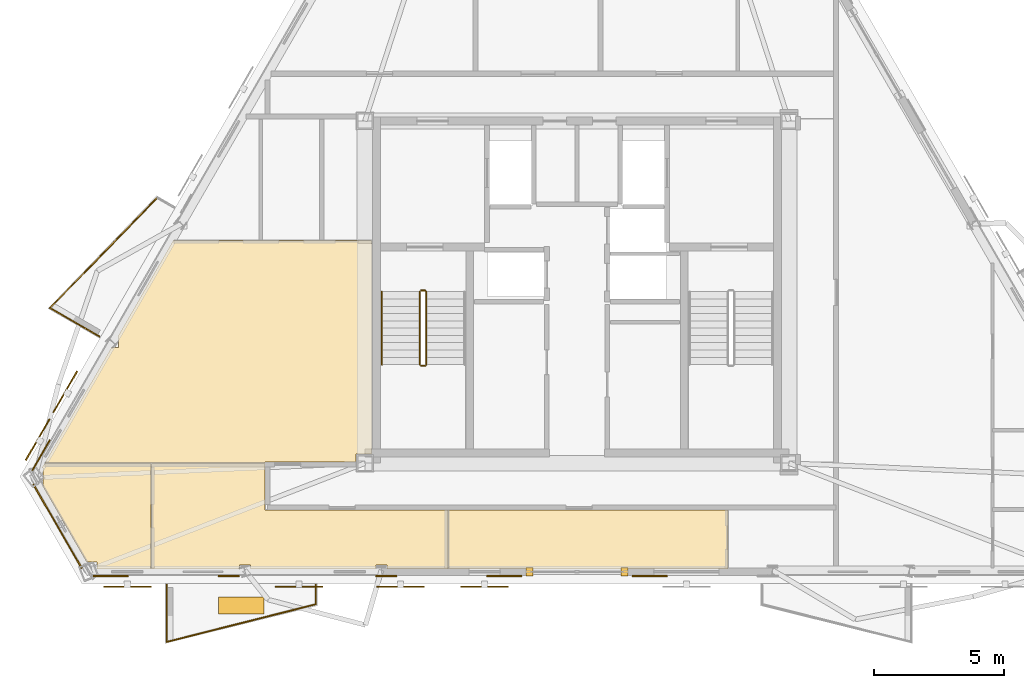
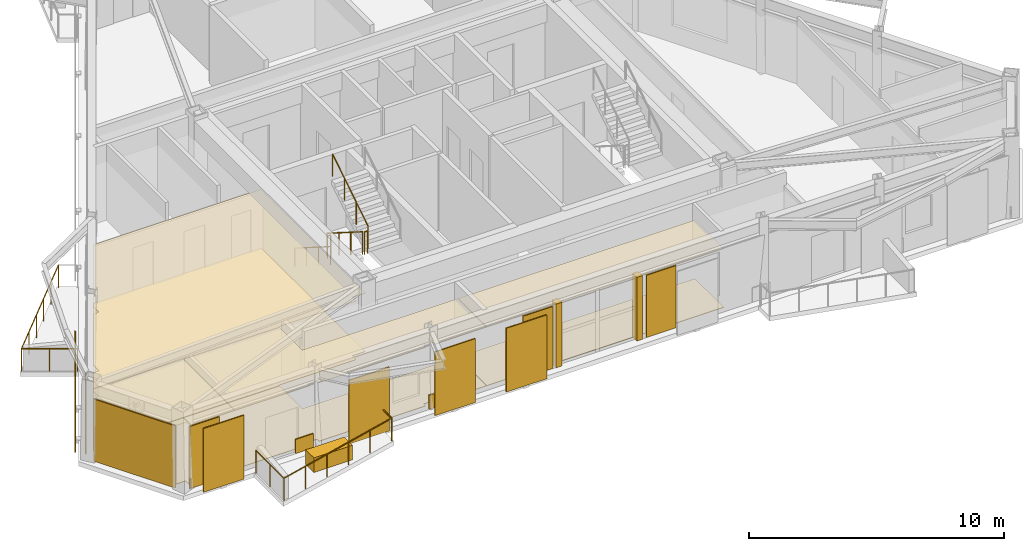
# One storey, part 12 of 15: 18 coverings, 10 railings, 6 shading devices.
"""IFC4 building model written with IfcOpenShell, lengths in metres."""

from ifc_helpers import new_model, si_unit, direction, frame, origin, origin_2d, place, context, subcontext, project, spatial, polyline, rectangle, circle, outline, extrude, material, layer, layer_set, type_object, element, save


model = new_model("IFC4")

# Units and contexts
model_context = context("Model", 3, precision=1e-05, world=origin(), true_north=direction((0.0, 1.0)))
body_context = subcontext(model_context, "Body", "Model", "MODEL_VIEW")
ifc_project = project(units=[si_unit("LENGTHUNIT", "METRE"), si_unit("AREAUNIT", "SQUARE_METRE"), si_unit("VOLUMEUNIT", "CUBIC_METRE"), si_unit("PLANEANGLEUNIT", "RADIAN"), si_unit("MASSUNIT", "GRAM", prefix="KILO")], contexts=[model_context])

# Site, building, storey
site_placement = place(None, origin())
site = spatial("IfcSite", under=ifc_project, at=site_placement, CompositionType="ELEMENT")
building_placement = place(site_placement, origin())
building = spatial("IfcBuilding", under=site, at=building_placement, Name="Oramaril Tower", CompositionType="ELEMENT")
storey_placement = place(building_placement, frame((0.0, 0.0, 288.89990234375)))
storey = spatial("IfcBuildingStorey", under=building, at=storey_placement, Name="L76", CompositionType="ELEMENT", Elevation=288.89990234375)

# Coverings
ifc_material_1 = material(Name="Mineral Fibre Acoustic Ceiling")
ifc_layer_1 = layer(ifc_material_1, 0.02001953125)
ifc_layer_set_1 = layer_set([ifc_layer_1], Name="CVT-CEIL")
covering_type_1 = type_object("IfcCoveringType", Name="CVT-CEIL", PredefinedType="CEILING", material=ifc_layer_set_1)
covering_1_placement = place(storey_placement, frame((0.0, 0.0, 2.81201171875)))
element("IfcCovering", 1, at=covering_1_placement, inside=storey, type_object=covering_type_1, Name="L76 Acoustic Suspended Ceiling 5", PredefinedType="CEILING", context=body_context, shape_type="SweptSolid", body=[
    extrude(outline(polyline([(32.5419921875, 6.935302734375), (30.201416015625, 6.935302734375), (30.201416015625, 7.091064453125), (29.779541015625, 7.091064453125), (29.779541015625, 6.935302734375), (24.94775390625, 6.935302734375), (24.94775390625, 7.091064453125), (24.51953125, 7.091064453125), (24.51953125, 6.935302734375), (21.152099609375, 6.935302734375), (21.152099609375, 10.991943359375), (25.5, 10.991943359375), (25.5, 9.219970703125), (25.5, 9.218017578125), (25.50048828125, 9.216064453125), (25.5009765625, 9.214111328125), (25.50146484375, 9.21240234375), (25.50244140625, 9.210693359375), (25.50341796875, 9.208984375), (25.50439453125, 9.207275390625), (25.505859375, 9.205810546875), (25.50732421875, 9.20458984375), (25.5087890625, 9.203369140625), (25.510498046875, 9.202392578125), (25.51220703125, 9.201416015625), (25.51416015625, 9.200927734375), (25.51611328125, 9.200439453125), (25.51806640625, 9.2001953125), (25.52001953125, 9.199951171875), (32.5419921875, 9.199951171875), (32.5419921875, 6.935302734375)])), origin(), (0.0, 0.0, 1.0), 0.02001953125),
])
covering_2_placement = place(storey_placement, frame((0.0, 0.0, 2.81201171875)))
element("IfcCovering", 2, at=covering_2_placement, inside=storey, type_object=covering_type_1, Name="L76 Acoustic Suspended Ceiling 6", PredefinedType="CEILING", context=body_context, shape_type="SweptSolid", body=[
    extrude(outline(polyline([(19.05712890625, 6.935302734375), (19.05712890625, 7.20458984375), (18.64404296875, 7.20458984375), (16.961181640625, 10.119384765625), (16.982666015625, 10.119384765625), (16.982666015625, 10.80712890625), (16.93359375, 10.80712890625), (17.040283203125, 10.991943359375), (21.132080078125, 10.991943359375), (21.132080078125, 6.935302734375), (19.05712890625, 6.935302734375)])), origin(), (0.0, 0.0, 1.0), 0.02001953125),
])
covering_3_placement = place(storey_placement, frame((0.0, 0.0, 2.81201171875)))
element("IfcCovering", 3, at=covering_3_placement, inside=storey, type_object=covering_type_1, Name="L76 Acoustic Suspended Ceiling 7", PredefinedType="CEILING", context=body_context, shape_type="SweptSolid", body=[
    extrude(outline(polyline([(32.56201171875, 6.935302734375), (32.56201171875, 9.199951171875), (43.305908203125, 9.199951171875), (43.305908203125, 6.935302734375), (32.56201171875, 6.935302734375)])), origin(), (0.0, 0.0, 1.0), 0.02001953125),
])
covering_4_placement = place(storey_placement, frame((0.0, 0.0, 2.81201171875)))
element("IfcCovering", 4, at=covering_4_placement, inside=storey, type_object=covering_type_1, Name="L76 Acoustic Suspended Ceiling 9", PredefinedType="CEILING", context=body_context, shape_type="SweptSolid", body=[
    extrude(outline(polyline([(19.607666015625, 15.438720703125), (19.874755859375, 15.438720703125), (19.874755859375, 15.893310546875), (19.8701171875, 15.893310546875), (21.980712890625, 19.548828125), (29.60009765625, 19.548828125), (29.60009765625, 11.344970703125), (29.0048828125, 11.344970703125), (29.0048828125, 11.050048828125), (25.52001953125, 11.050048828125), (25.51806640625, 11.0498046875), (25.51611328125, 11.049560546875), (25.51416015625, 11.049072265625), (25.51220703125, 11.048583984375), (25.510498046875, 11.047607421875), (25.5087890625, 11.046630859375), (25.50732421875, 11.04541015625), (25.505859375, 11.044189453125), (25.50439453125, 11.042724609375), (25.50341796875, 11.041015625), (25.50244140625, 11.039306640625), (25.50146484375, 11.03759765625), (25.5009765625, 11.035888671875), (25.50048828125, 11.033935546875), (25.5, 11.031982421875), (25.5, 11.030029296875), (25.5, 11.011962890625), (21.152099609375, 11.011962890625), (21.150146484375, 11.011962890625), (21.148193359375, 11.01171875), (21.146240234375, 11.010986328125), (21.144287109375, 11.010498046875), (21.142578125, 11.009521484375), (21.14208984375, 11.00927734375), (21.1416015625, 11.009521484375), (21.139892578125, 11.010498046875), (21.137939453125, 11.010986328125), (21.135986328125, 11.01171875), (21.134033203125, 11.011962890625), (21.132080078125, 11.011962890625), (17.052001953125, 11.011962890625), (19.607666015625, 15.438720703125)])), origin(), (0.0, 0.0, 1.0), 0.02001953125),
])
ifc_material_2 = material(Name="Warm Cream Limestone", Category="masonry")
ifc_layer_2 = layer(ifc_material_2, 0.050048828125)
ifc_layer_set_2 = layer_set([ifc_layer_2], Name="CVT-CLD")
covering_type_2 = type_object("IfcCoveringType", Name="CVT-CLD", PredefinedType="CLADDING", material=ifc_layer_set_2)
covering_5_placement = place(storey_placement, frame((17.53515625, 8.5732421875, 0.0400390625), z_axis=(0.0, 0.0, 1.0), x_axis=(0.499984884929, -0.866034130299, 0.0)))
element("IfcCovering", 5, at=covering_5_placement, inside=storey, type_object=covering_type_2, Name="L76 Warm Cream Limestone Cladding", PredefinedType="CLADDING", context=body_context, shape_type="SweptSolid", body=[
    extrude(rectangle(XDim=3.725830078125, YDim=0.050048828125, at=origin_2d()), origin(), (0.0, 0.0, 1.0), 2.97802734375),
])
for number, where, z_axis, x_axis, name in (
    (6, (35.669921875, 6.827392578125, 0.0), (0.0, 0.0, 1.0), (1.0, 0.0, 0.0), "L76 Curtain Wall Limestone Jamb Closure"),
    (7, (39.330078125, 6.827392578125, 0.0), (0.0, 0.0, 1.0), (1.0, 0.0, 0.0), "L76 Curtain Wall Limestone Jamb Closure"),
):
    element("IfcCovering", number, at=place(storey_placement, frame(where, z_axis=z_axis, x_axis=x_axis)), inside=storey, type_object=covering_type_2, Name=name, PredefinedType="CLADDING", context=body_context, shape_type="SweptSolid", body=[
        extrude(rectangle(XDim=0.260009765625, YDim=0.340087890625, at=origin_2d()), origin(), (0.0, 0.0, 1.0), 3.05810546875),
    ])
for number, where, z_axis, x_axis, name in (
    (8, (19.587158203125, 6.659423828125, 0.0400390625), (0.0, 0.0, 1.0), (1.0, 0.0, 0.0), "L76 Warm Cream Limestone Cladding"),
    (9, (34.699951171875, 6.659423828125, 0.0400390625), (0.0, 0.0, 1.0), (1.0, 0.0, 0.0), "L76 Warm Cream Limestone Cladding"),
):
    element("IfcCovering", number, at=place(storey_placement, frame(where, z_axis=z_axis, x_axis=x_axis)), inside=storey, type_object=covering_type_2, Name=name, PredefinedType="CLADDING", context=body_context, shape_type="SweptSolid", body=[
        extrude(rectangle(XDim=1.35009765625, YDim=0.050048828125, at=origin_2d()), origin(), (0.0, 0.0, 1.0), 2.97802734375),
    ])
for number, where, z_axis, x_axis, name in (
    (10, (24.1171875, 6.659423828125, 0.0400390625), (0.0, 0.0, 1.0), (1.0, 0.0, 0.0), "L76 Warm Cream Limestone Spandrel Cladding"),
    (11, (30.169921875, 6.659423828125, 0.0400390625), (0.0, 0.0, 1.0), (1.0, 0.0, 0.0), "L76 Warm Cream Limestone Spandrel Cladding"),
):
    element("IfcCovering", number, at=place(storey_placement, frame(where, z_axis=z_axis, x_axis=x_axis)), inside=storey, type_object=covering_type_2, Name=name, PredefinedType="CLADDING", context=body_context, shape_type="SweptSolid", body=[
        extrude(rectangle(XDim=0.800048828125, YDim=0.050048828125, at=origin_2d()), origin(), (0.0, 0.0, 1.0), 0.679931640625),
    ])
for number, where, z_axis, x_axis, name in (
    (12, (40.300048828125, 6.659423828125, 0.0400390625), (0.0, 0.0, 1.0), (1.0, 0.0, 0.0), "L76 Warm Cream Limestone Cladding"),
    (13, (16.90380859375, 11.307373046875, 0.0400390625), (0.0, 0.0, 1.0), (-0.4999984885, -0.866026276448, 0.0), "L76 Warm Cream Limestone Cladding"),
):
    element("IfcCovering", number, at=place(storey_placement, frame(where, z_axis=z_axis, x_axis=x_axis)), inside=storey, type_object=covering_type_2, Name=name, PredefinedType="CLADDING", context=body_context, shape_type="SweptSolid", body=[
        extrude(rectangle(XDim=1.35009765625, YDim=0.050048828125, at=origin_2d()), origin(), (0.0, 0.0, 1.0), 2.97802734375),
    ])
covering_6_placement = place(storey_placement, frame((24.596435546875, 5.531005859375, 0.0), z_axis=(0.0, 0.0, 1.0), x_axis=(1.0, 0.0, 0.0)))
element("IfcCovering", 14, at=covering_6_placement, inside=storey, type_object=covering_type_2, Name="L76 Structural Tree Planter Box L76-BAL-S1", PredefinedType="CLADDING", context=body_context, shape_type="SweptSolid", body=[
    extrude(rectangle(XDim=1.75, YDim=0.64990234375, at=origin_2d()), origin(), (0.0, 0.0, 1.0), 0.699951171875),
])
ifc_material_3 = material(Name="Honed Quartzite Stone Flooring", Category="masonry")
ifc_layer_3 = layer(ifc_material_3, 0.02490234375)
ifc_layer_set_3 = layer_set([ifc_layer_3], Name="CVT-FLR")
covering_type_3 = type_object("IfcCoveringType", Name="CVT-FLR", PredefinedType="FLOORING", material=ifc_layer_set_3)
covering_7_placement = place(storey_placement, origin())
element("IfcCovering", 15, at=covering_7_placement, inside=storey, type_object=covering_type_3, Name="L76 Honed Stone Floor Finish 5", PredefinedType="FLOORING", context=body_context, shape_type="SweptSolid", body=[
    extrude(outline(polyline([(32.5419921875, 6.935302734375), (30.201416015625, 6.935302734375), (30.201416015625, 7.091064453125), (29.779541015625, 7.091064453125), (29.779541015625, 6.935302734375), (24.94775390625, 6.935302734375), (24.94775390625, 7.091064453125), (24.51953125, 7.091064453125), (24.51953125, 6.935302734375), (21.152099609375, 6.935302734375), (21.152099609375, 10.991943359375), (25.5, 10.991943359375), (25.5, 9.219970703125), (25.5, 9.218017578125), (25.50048828125, 9.216064453125), (25.5009765625, 9.214111328125), (25.50146484375, 9.21240234375), (25.50244140625, 9.210693359375), (25.50341796875, 9.208984375), (25.50439453125, 9.207275390625), (25.505859375, 9.205810546875), (25.50732421875, 9.20458984375), (25.5087890625, 9.203369140625), (25.510498046875, 9.202392578125), (25.51220703125, 9.201416015625), (25.51416015625, 9.200927734375), (25.51611328125, 9.200439453125), (25.51806640625, 9.2001953125), (25.52001953125, 9.199951171875), (32.5419921875, 9.199951171875), (32.5419921875, 6.935302734375)])), origin(), (0.0, 0.0, 1.0), 0.025146484375),
])
covering_8_placement = place(storey_placement, origin())
element("IfcCovering", 16, at=covering_8_placement, inside=storey, type_object=covering_type_3, Name="L76 Honed Stone Floor Finish 6", PredefinedType="FLOORING", context=body_context, shape_type="SweptSolid", body=[
    extrude(outline(polyline([(19.05712890625, 6.935302734375), (19.05712890625, 7.20458984375), (18.64404296875, 7.20458984375), (16.961181640625, 10.119384765625), (16.982666015625, 10.119384765625), (16.982666015625, 10.80712890625), (16.93359375, 10.80712890625), (17.040283203125, 10.991943359375), (21.132080078125, 10.991943359375), (21.132080078125, 6.935302734375), (19.05712890625, 6.935302734375)])), origin(), (0.0, 0.0, 1.0), 0.025146484375),
])
covering_9_placement = place(storey_placement, origin())
element("IfcCovering", 17, at=covering_9_placement, inside=storey, type_object=covering_type_3, Name="L76 Honed Stone Floor Finish 7", PredefinedType="FLOORING", context=body_context, shape_type="SweptSolid", body=[
    extrude(outline(polyline([(32.56201171875, 6.935302734375), (32.56201171875, 9.199951171875), (43.305908203125, 9.199951171875), (43.305908203125, 6.935302734375), (32.56201171875, 6.935302734375)])), origin(), (0.0, 0.0, 1.0), 0.025146484375),
])
covering_10_placement = place(storey_placement, origin())
element("IfcCovering", 18, at=covering_10_placement, inside=storey, type_object=covering_type_3, Name="L76 Honed Stone Floor Finish 9", PredefinedType="FLOORING", context=body_context, shape_type="SweptSolid", body=[
    extrude(outline(polyline([(19.607666015625, 15.438720703125), (19.874755859375, 15.438720703125), (19.874755859375, 15.893310546875), (19.8701171875, 15.893310546875), (21.980712890625, 19.548828125), (29.60009765625, 19.548828125), (29.60009765625, 11.344970703125), (29.0048828125, 11.344970703125), (29.0048828125, 11.050048828125), (25.52001953125, 11.050048828125), (25.51806640625, 11.0498046875), (25.51611328125, 11.049560546875), (25.51416015625, 11.049072265625), (25.51220703125, 11.048583984375), (25.510498046875, 11.047607421875), (25.5087890625, 11.046630859375), (25.50732421875, 11.04541015625), (25.505859375, 11.044189453125), (25.50439453125, 11.042724609375), (25.50341796875, 11.041015625), (25.50244140625, 11.039306640625), (25.50146484375, 11.03759765625), (25.5009765625, 11.035888671875), (25.50048828125, 11.033935546875), (25.5, 11.031982421875), (25.5, 11.030029296875), (25.5, 11.011962890625), (21.152099609375, 11.011962890625), (21.150146484375, 11.011962890625), (21.148193359375, 11.01171875), (21.146240234375, 11.010986328125), (21.144287109375, 11.010498046875), (21.142578125, 11.009521484375), (21.14208984375, 11.00927734375), (21.1416015625, 11.009521484375), (21.139892578125, 11.010498046875), (21.137939453125, 11.010986328125), (21.135986328125, 11.01171875), (21.134033203125, 11.011962890625), (21.132080078125, 11.011962890625), (17.052001953125, 11.011962890625), (19.607666015625, 15.438720703125)])), origin(), (0.0, 0.0, 1.0), 0.025146484375),
])

# Railings
ifc_material_4 = material(Name="Stainless Steel 316L", Category="steel")
railing_type_1 = type_object("IfcRailingType", Name="RLT-GRD", PredefinedType="GUARDRAIL", material=ifc_material_4)
railing_1_placement = place(storey_placement, frame((27.46142578125, 6.3193359375, 0.0)))
element("IfcRailing", 19, at=railing_1_placement, inside=storey, type_object=railing_type_1, Name="L76 Balcony Guardrail L76-BAL-S1.1", PredefinedType="GUARDRAIL", context=body_context, shape_type="SweptSolid", body=[
    extrude(circle(Radius=0.02392578125, at=origin_2d()), frame((0.0, 0.0, 1.076171875), z_axis=(0.0, -1.0, 0.0), x_axis=(1.0, 0.0, 0.0)), (0.0, 0.0, 1.0), 0.741943359375),
    extrude(circle(Radius=0.02099609375, at=origin_2d()), origin(), (0.0, 0.0, 1.0), 1.052001953125),
    extrude(circle(Radius=0.02099609375, at=origin_2d()), frame((0.0, -0.741943359375, 0.0)), (0.0, 0.0, 1.0), 1.052001953125),
])
railing_2_placement = place(storey_placement, frame((27.46142578125, 5.577392578125, 0.0)))
element("IfcRailing", 20, at=railing_2_placement, inside=storey, type_object=railing_type_1, Name="L76 Balcony Guardrail L76-BAL-S1.2", PredefinedType="GUARDRAIL", context=body_context, shape_type="SweptSolid", body=[
    extrude(circle(Radius=0.02392578125, at=origin_2d()), frame((0.0, 0.0, 1.076171875), z_axis=(-0.969443611257, -0.245314256807, 0.0), x_axis=(0.245314256807, -0.969443611257, 0.0)), (0.0, 0.0, 1.0), 5.91064453125),
    extrude(circle(Radius=0.02099609375, at=origin_2d()), origin(), (0.0, 0.0, 1.0), 1.052001953125),
    extrude(circle(Radius=0.02099609375, at=origin_2d()), frame((-1.14599609375, -0.2900390625, 0.0)), (0.0, 0.0, 1.0), 1.052001953125),
    extrude(circle(Radius=0.02099609375, at=origin_2d()), frame((-2.2919921875, -0.580078125, 0.0)), (0.0, 0.0, 1.0), 1.052001953125),
    extrude(circle(Radius=0.02099609375, at=origin_2d()), frame((-3.43798828125, -0.869873046875, 0.0)), (0.0, 0.0, 1.0), 1.052001953125),
    extrude(circle(Radius=0.02099609375, at=origin_2d()), frame((-4.583984375, -1.159912109375, 0.0)), (0.0, 0.0, 1.0), 1.052001953125),
    extrude(circle(Radius=0.02099609375, at=origin_2d()), frame((-5.72998046875, -1.449951171875, 0.0)), (0.0, 0.0, 1.0), 1.052001953125),
])
railing_3_placement = place(storey_placement, frame((21.7314453125, 4.12744140625, 0.0)))
element("IfcRailing", 21, at=railing_3_placement, inside=storey, type_object=railing_type_1, Name="L76 Balcony Guardrail L76-BAL-S1.3", PredefinedType="GUARDRAIL", context=body_context, shape_type="SweptSolid", body=[
    extrude(circle(Radius=0.02392578125, at=origin_2d()), frame((0.0, 0.0, 1.076171875), z_axis=(0.0, 1.0, 0.0), x_axis=(-1.0, 0.0, 0.0)), (0.0, 0.0, 1.0), 2.19189453125),
    extrude(circle(Radius=0.02099609375, at=origin_2d()), origin(), (0.0, 0.0, 1.0), 1.052001953125),
    extrude(circle(Radius=0.02099609375, at=origin_2d()), frame((0.0, 1.095947265625, 0.0)), (0.0, 0.0, 1.0), 1.052001953125),
    extrude(circle(Radius=0.02099609375, at=origin_2d()), frame((0.0, 2.19189453125, 0.0)), (0.0, 0.0, 1.0), 1.052001953125),
])
railing_4_placement = place(storey_placement, frame((19.143798828125, 15.86767578125, 0.0)))
element("IfcRailing", 22, at=railing_4_placement, inside=storey, type_object=railing_type_1, Name="L76 Balcony Guardrail L76-BAL-NW2.1", PredefinedType="GUARDRAIL", context=body_context, shape_type="SweptSolid", body=[
    extrude(circle(Radius=0.02392578125, at=origin_2d()), frame((0.0, 0.0, 1.076171875), z_axis=(-0.866020500697, 0.5000084923, 0.0), x_axis=(-0.5000084923, -0.866020500697, 0.0)), (0.0, 0.0, 1.0), 2.19189453125),
    extrude(circle(Radius=0.02099609375, at=origin_2d()), origin(), (0.0, 0.0, 1.0), 1.052001953125),
    extrude(circle(Radius=0.02099609375, at=origin_2d()), frame((-0.94921875, 0.5478515625, 0.0)), (0.0, 0.0, 1.0), 1.052001953125),
    extrude(circle(Radius=0.02099609375, at=origin_2d()), frame((-1.898193359375, 1.095947265625, 0.0)), (0.0, 0.0, 1.0), 1.052001953125),
])
railing_5_placement = place(storey_placement, frame((17.24560546875, 16.963623046875, 0.0)))
element("IfcRailing", 23, at=railing_5_placement, inside=storey, type_object=railing_type_1, Name="L76 Balcony Guardrail L76-BAL-NW2.2", PredefinedType="GUARDRAIL", context=body_context, shape_type="SweptSolid", body=[
    extrude(circle(Radius=0.02392578125, at=origin_2d()), frame((0.0, 0.0, 1.076171875), z_axis=(0.697186915353, 0.716889395277, 0.0), x_axis=(-0.716889395277, 0.697186915353, 0.0)), (0.0, 0.0, 1.0), 5.91064453125),
    extrude(circle(Radius=0.02099609375, at=origin_2d()), origin(), (0.0, 0.0, 1.0), 1.052001953125),
    extrude(circle(Radius=0.02099609375, at=origin_2d()), frame((0.82421875, 0.847412109375, 0.0)), (0.0, 0.0, 1.0), 1.052001953125),
    extrude(circle(Radius=0.02099609375, at=origin_2d()), frame((1.6484375, 1.69482421875, 0.0)), (0.0, 0.0, 1.0), 1.052001953125),
    extrude(circle(Radius=0.02099609375, at=origin_2d()), frame((2.472412109375, 2.54248046875, 0.0)), (0.0, 0.0, 1.0), 1.052001953125),
    extrude(circle(Radius=0.02099609375, at=origin_2d()), frame((3.296630859375, 3.389892578125, 0.0)), (0.0, 0.0, 1.0), 1.052001953125),
    extrude(circle(Radius=0.02099609375, at=origin_2d()), frame((4.120849609375, 4.2373046875, 0.0)), (0.0, 0.0, 1.0), 1.052001953125),
])
railing_6_placement = place(storey_placement, frame((31.4599609375, 17.590087890625, 0.177490234375)))
element("IfcRailing", 24, at=railing_6_placement, inside=storey, type_object=railing_type_1, Name="L76 ST-1 stair guard 1", PredefinedType="GUARDRAIL", context=body_context, shape_type="SweptSolid", body=[
    extrude(circle(Radius=0.02392578125, at=origin_2d()), frame((0.0, 0.0, 1.076171875), z_axis=(0.0, -0.844908973607, 0.534910110503), x_axis=(1.0, 0.0, 0.0)), (0.0, 0.0, 1.0), 3.31396484375),
    extrude(circle(Radius=0.02099609375, at=origin_2d()), origin(), (0.0, 0.0, 1.0), 1.052001953125),
    extrude(circle(Radius=0.02099609375, at=origin_2d()), frame((0.0, -0.933349609375, 0.5908203125)), (0.0, 0.0, 1.0), 1.052001953125),
    extrude(circle(Radius=0.02099609375, at=origin_2d()), frame((0.0, -1.86669921875, 1.181884765625)), (0.0, 0.0, 1.0), 1.052001953125),
    extrude(circle(Radius=0.02099609375, at=origin_2d()), frame((0.0, -2.800048828125, 1.772705078125)), (0.0, 0.0, 1.0), 1.052001953125),
])
railing_7_placement = place(storey_placement, frame((31.510009765625, 14.739990234375, 1.9501953125)))
element("IfcRailing", 25, at=railing_7_placement, inside=storey, type_object=railing_type_1, Name="L76 ST-1 stair guard 2", PredefinedType="GUARDRAIL", context=body_context, shape_type="SweptSolid", body=[
    extrude(circle(Radius=0.02392578125, at=origin_2d()), frame((0.0, 0.0, 1.076171875), z_axis=(1.0, 0.0, 0.0), x_axis=(0.0, 1.0, 0.0)), (0.0, 0.0, 1.0), 0.14990234375),
    extrude(circle(Radius=0.02099609375, at=origin_2d()), origin(), (0.0, 0.0, 1.0), 1.052001953125),
    extrude(circle(Radius=0.02099609375, at=origin_2d()), frame((0.14990234375, 0.0, 0.0)), (0.0, 0.0, 1.0), 1.052001953125),
])
railing_8_placement = place(storey_placement, frame((31.7099609375, 14.7900390625, 2.12744140625)))
element("IfcRailing", 26, at=railing_8_placement, inside=storey, type_object=railing_type_1, Name="L76 ST-1 stair guard 3", PredefinedType="GUARDRAIL", context=body_context, shape_type="SweptSolid", body=[
    extrude(circle(Radius=0.02392578125, at=origin_2d()), frame((0.0, 0.0, 1.076171875), z_axis=(0.0, 0.844908973607, 0.534910110503), x_axis=(-1.0, 0.0, 0.0)), (0.0, 0.0, 1.0), 3.31396484375),
    extrude(circle(Radius=0.02099609375, at=origin_2d()), origin(), (0.0, 0.0, 1.0), 1.052001953125),
    extrude(circle(Radius=0.02099609375, at=origin_2d()), frame((0.0, 0.933349609375, 0.5908203125)), (0.0, 0.0, 1.0), 1.052001953125),
    extrude(circle(Radius=0.02099609375, at=origin_2d()), frame((0.0, 1.86669921875, 1.181884765625)), (0.0, 0.0, 1.0), 1.052001953125),
    extrude(circle(Radius=0.02099609375, at=origin_2d()), frame((0.0, 2.800048828125, 1.772705078125)), (0.0, 0.0, 1.0), 1.052001953125),
])
railing_9_placement = place(storey_placement, frame((31.510009765625, 17.639892578125, 0.0)))
element("IfcRailing", 27, at=railing_9_placement, inside=storey, type_object=railing_type_1, Name="L76 ST-1 stair guard 4", PredefinedType="GUARDRAIL", context=body_context, shape_type="SweptSolid", body=[
    extrude(circle(Radius=0.02392578125, at=origin_2d()), frame((0.0, 0.0, 1.076171875), z_axis=(1.0, 0.0, 0.0), x_axis=(0.0, 1.0, 0.0)), (0.0, 0.0, 1.0), 0.14990234375),
    extrude(circle(Radius=0.02099609375, at=origin_2d()), origin(), (0.0, 0.0, 1.0), 1.052001953125),
    extrude(circle(Radius=0.02099609375, at=origin_2d()), frame((0.14990234375, 0.0, 0.0)), (0.0, 0.0, 1.0), 1.052001953125),
])
ifc_material_5 = material(Name="Stainless Steel 316L", Category="steel")
railing_type_2 = type_object("IfcRailingType", Name="RLT-HND", PredefinedType="HANDRAIL", material=ifc_material_5)
railing_10_placement = place(storey_placement, frame((30.0, 17.590087890625, 0.177490234375)))
element("IfcRailing", 28, at=railing_10_placement, inside=storey, type_object=railing_type_2, Name="L76 ST-1 stair handrail 1", PredefinedType="HANDRAIL", context=body_context, shape_type="SweptSolid", body=[
    extrude(circle(Radius=0.02392578125, at=origin_2d()), frame((0.0, 0.0, 0.8759765625), z_axis=(0.0, -0.844908973607, 0.534910110503), x_axis=(1.0, 0.0, 0.0)), (0.0, 0.0, 1.0), 3.31396484375),
    extrude(circle(Radius=0.02099609375, at=origin_2d()), origin(), (0.0, 0.0, 1.0), 0.851806640625),
    extrude(circle(Radius=0.02099609375, at=origin_2d()), frame((0.0, -0.933349609375, 0.5908203125)), (0.0, 0.0, 1.0), 0.851806640625),
    extrude(circle(Radius=0.02099609375, at=origin_2d()), frame((0.0, -1.86669921875, 1.181884765625)), (0.0, 0.0, 1.0), 0.851806640625),
    extrude(circle(Radius=0.02099609375, at=origin_2d()), frame((0.0, -2.800048828125, 1.772705078125)), (0.0, 0.0, 1.0), 0.851806640625),
])

# Shading devices
for number, where, z_axis, x_axis, name in (
    (29, (26.818115234375, 6.247314453125, -0.02001953125), (0.0, 0.0, 1.0), (1.0, 0.0, 0.0), "L76 Perforated Ceramic Solar Screen"),
    (30, (30.718017578125, 6.247314453125, -0.02001953125), (0.0, 0.0, 1.0), (1.0, 0.0, 0.0), "L76 Perforated Ceramic Solar Screen"),
    (31, (20.218994140625, 6.247314453125, -0.02001953125), (0.0, 0.0, 1.0), (1.0, 0.0, 0.0), "L76 Perforated Ceramic Solar Screen"),
    (32, (33.94970703125, 6.247314453125, -0.02001953125), (0.0, 0.0, 1.0), (1.0, 0.0, 0.0), "L76 Perforated Ceramic Solar Screen"),
    (33, (17.83251953125, 13.740234375, -0.02001953125), (0.0, 0.0, 1.0), (-0.4999984885, -0.866026276448, 0.0), "L76 Perforated Ceramic Solar Screen"),
    (34, (16.772705078125, 11.904541015625, -0.02001953125), (0.0, 0.0, 1.0), (-0.4999984885, -0.866026276448, 0.0), "L76 Perforated Ceramic Solar Screen"),
):
    element("IfcShadingDevice", number, at=place(storey_placement, frame(where, z_axis=z_axis, x_axis=x_axis)), inside=storey, Name=name, ObjectType="SCREEN", PredefinedType="USERDEFINED", context=body_context, shape_type="SweptSolid", body=[
        extrude(rectangle(XDim=1.8330078125, YDim=0.050048828125, at=origin_2d()), origin(), (0.0, 0.0, 1.0), 3.05810546875),
    ])

save(model, "model.ifc")
